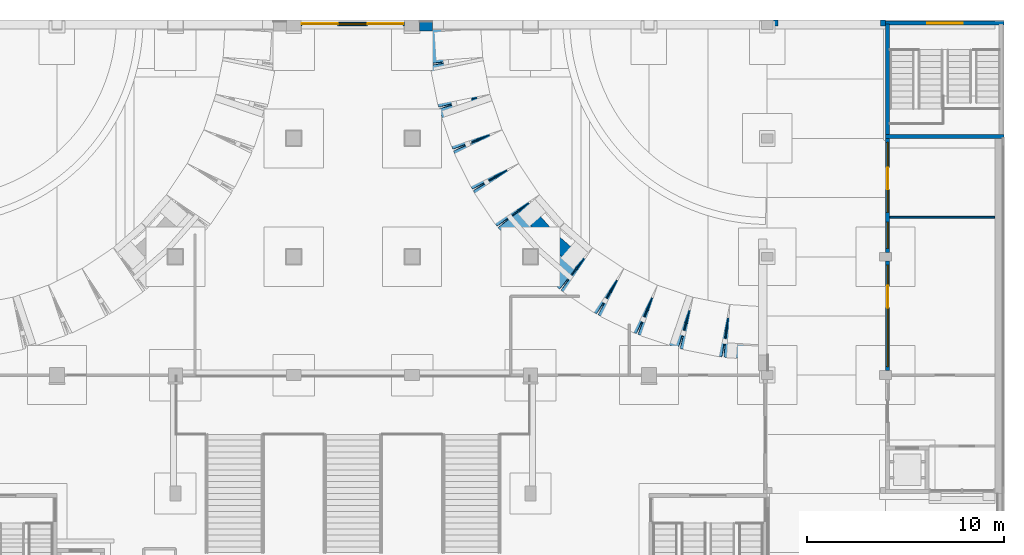
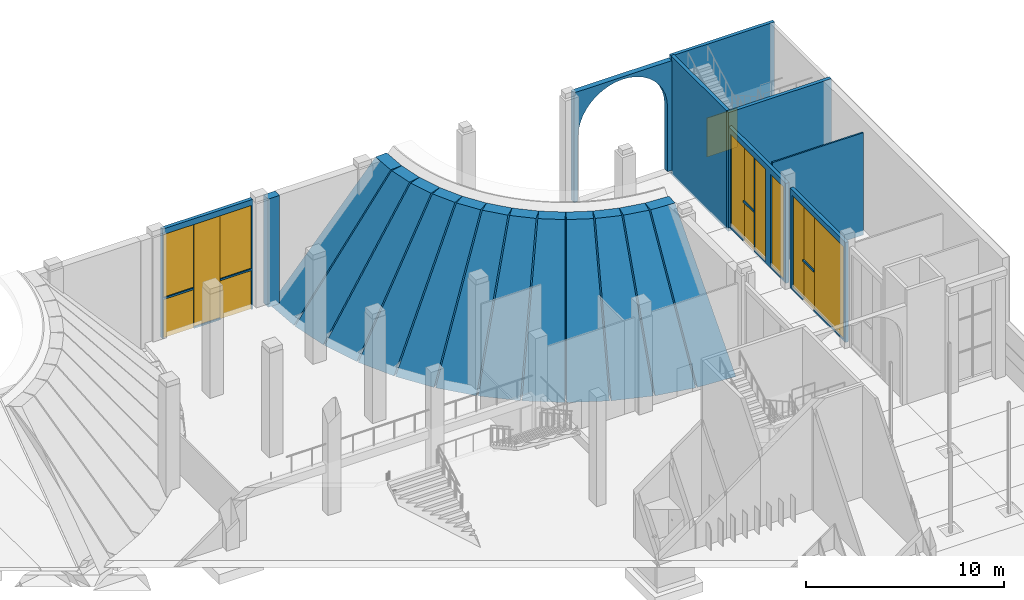
# One storey, part 52 of 95: 21 walls, 10 windows, 5 doors, 15 openings.
"""IFC4 building model written with IfcOpenShell, lengths in metres."""

from ifc_helpers import new_model, si_unit, direction, frame, frame_2d, origin, place, context, subcontext, project, spatial, polyline, rectangle, outline, extrude, material, layer, layer_set, type_object, element, fill, save


model = new_model("IFC4")

# Units and contexts
model_context = context("Model", 3, precision=1e-05, world=origin(), true_north=direction((0.0, 1.0)))
body_context = subcontext(model_context, "Body", "Model", "MODEL_VIEW")
ifc_project = project(units=[si_unit("LENGTHUNIT", "METRE"), si_unit("AREAUNIT", "SQUARE_METRE"), si_unit("VOLUMEUNIT", "CUBIC_METRE"), si_unit("PLANEANGLEUNIT", "RADIAN"), si_unit("MASSUNIT", "GRAM", prefix="KILO")], contexts=[model_context])

# Site, building, storey
site_placement = place(None, origin())
site = spatial("IfcSite", under=ifc_project, at=site_placement, CompositionType="ELEMENT")
building_placement = place(site_placement, origin())
building = spatial("IfcBuilding", under=site, at=building_placement, Name="Saffron Lane Theatres", CompositionType="ELEMENT")
storey_placement = place(building_placement, origin())
storey = spatial("IfcBuildingStorey", under=building, at=storey_placement, Name="L00", CompositionType="ELEMENT", Elevation=0.0)

# Wall
ifc_material_1 = material(Name="Masonry pale clay brick", Category="masonry")
ifc_layer_1 = layer(ifc_material_1, 0.300048828125)
ifc_layer_set_1 = layer_set([ifc_layer_1], Name="Masonry pale clay brick")
wall_type_1 = type_object("IfcWallType", Name="EX-ARCH SPANDREL BRICK 300", PredefinedType="SOLIDWALL", material=ifc_layer_set_1)
wall_1_placement = place(storey_placement, frame((54.300048828125, 126.0, 0.0), z_axis=(0.0, 1.0, 0.0), x_axis=(0.0, 0.0, 1.0)))
element("IfcWall", 1, at=wall_1_placement, inside=storey, type_object=wall_type_1, Name="Arcade arch spandrel 3", PredefinedType="SOLIDWALL", context=body_context, shape_type="SweptSolid", body=[
    extrude(outline(polyline([(0.0, 0.0), (6.75, 0.0), (6.75, 5.699951171875), (0.0, 5.699951171875), (0.0, 5.449951171875), (4.0, 5.449951171875), (4.406982421875, 5.41796875), (4.802978515625, 5.322998046875), (5.179931640625, 5.1669921875), (5.528076171875, 4.952880859375), (5.837890625, 4.68798828125), (6.10302734375, 4.3779296875), (6.31689453125, 4.030029296875), (6.472900390625, 3.65283203125), (6.568115234375, 3.2568359375), (6.60009765625, 2.849853515625), (6.568115234375, 2.44287109375), (6.472900390625, 2.046875), (6.31689453125, 1.669921875), (6.10302734375, 1.322021484375), (5.837890625, 1.011962890625), (5.528076171875, 0.7470703125), (5.179931640625, 0.532958984375), (4.802978515625, 0.376953125), (4.406982421875, 0.281982421875), (4.0, 0.25), (0.0, 0.25), (0.0, 0.0)])), origin(), (0.0, 0.0, -1.0), 0.300048828125),
])

# Wall, openings, doors, windows
ifc_material_2 = material(Name="Aluminium", Category="aluminium")
ifc_layer_2 = layer(ifc_material_2, 0.199951171875)
ifc_layer_set_2 = layer_set([ifc_layer_2], Name="Aluminium")
wall_type_2 = type_object("IfcWallType", Name="EX-SCREEN ALUMINIUM 200", PredefinedType="SOLIDWALL", material=ifc_layer_set_2)
wall_2_placement = place(storey_placement, frame((30.375, 125.800048828125, 0.0), z_axis=(0.0, 0.0, 1.0), x_axis=(1.0, 0.0, 0.0)))
wall_2 = element("IfcWall", 2, at=wall_2_placement, inside=storey, type_object=wall_type_2, Name="External wall L00 09", PredefinedType="SOLIDWALL", context=body_context, shape_type="SweptSolid", body=[
    extrude(rectangle(XDim=5.25, YDim=0.199951171875, at=frame_2d((2.625, 0.0))), origin(), (0.0, 0.0, 1.0), 6.75),
])
opening_1_placement = place(wall_2_placement, frame((0.04296875, 0.0, 0.0)))
opening_1 = element("IfcOpeningElement", 3, at=opening_1_placement, cuts=wall_2, Name="Opening ED00-04", PredefinedType="OPENING", context=body_context, shape_type="SweptSolid", body=[
    extrude(rectangle(XDim=1.800048828125, YDim=2.39990234375, at=frame_2d((0.89990234375, 1.199951171875))), frame((0.0, 0.10986328125, 0.0), z_axis=(0.0, -1.0, 0.0), x_axis=(1.0, 0.0, 0.0)), (0.0, 0.0, 1.0), 0.219970703125),
])
opening_2_placement = place(wall_2_placement, frame((3.375, 0.0, 0.0)))
opening_2 = element("IfcOpeningElement", 4, at=opening_2_placement, cuts=wall_2, Name="Opening ED00-05", PredefinedType="OPENING", context=body_context, shape_type="SweptSolid", body=[
    extrude(rectangle(XDim=1.800048828125, YDim=2.39990234375, at=frame_2d((0.89990234375, 1.199951171875))), frame((0.0, 0.10986328125, 0.0), z_axis=(0.0, -1.0, 0.0), x_axis=(1.0, 0.0, 0.0)), (0.0, 0.0, 1.0), 0.219970703125),
])
opening_3_placement = place(wall_2_placement, frame((0.04296875, 0.0, 2.5)))
opening_3 = element("IfcOpeningElement", 5, at=opening_3_placement, cuts=wall_2, Name="Opening WN00-012", PredefinedType="OPENING", context=body_context, shape_type="SweptSolid", body=[
    extrude(rectangle(XDim=1.800048828125, YDim=3.89990234375, at=frame_2d((0.89990234375, 1.949951171875))), frame((0.0, 0.10986328125, 0.0), z_axis=(0.0, -1.0, 0.0), x_axis=(1.0, 0.0, 0.0)), (0.0, 0.0, 1.0), 0.219970703125),
])
opening_4_placement = place(wall_2_placement, frame((3.375, 0.0, 2.5)))
opening_4 = element("IfcOpeningElement", 6, at=opening_4_placement, cuts=wall_2, Name="Opening WN00-013", PredefinedType="OPENING", context=body_context, shape_type="SweptSolid", body=[
    extrude(rectangle(XDim=1.800048828125, YDim=3.89990234375, at=frame_2d((0.89990234375, 1.949951171875))), frame((0.0, 0.10986328125, 0.0), z_axis=(0.0, -1.0, 0.0), x_axis=(1.0, 0.0, 0.0)), (0.0, 0.0, 1.0), 0.219970703125),
])
opening_5_placement = place(wall_2_placement, frame((1.843017578125, 0.0, 0.10009765625)))
opening_5 = element("IfcOpeningElement", 7, at=opening_5_placement, cuts=wall_2, Name="Opening WN00-014", PredefinedType="OPENING", context=body_context, shape_type="SweptSolid", body=[
    extrude(rectangle(XDim=1.531982421875, YDim=6.300048828125, at=frame_2d((0.76611328125, 3.14990234375))), frame((0.0, 0.10986328125, 0.0), z_axis=(0.0, -1.0, 0.0), x_axis=(1.0, 0.0, 0.0)), (0.0, 0.0, 1.0), 0.219970703125),
])
ifc_material_3 = material(Name="Aluminium and glass door leaves", Category="aluminium")
door_type_1 = type_object("IfcDoorType", Name="EX-ENTRANCE DOOR PAIR 1800x2400", OperationType="DOUBLE_DOOR_SINGLE_SWING", PredefinedType="DOOR", material=ifc_material_3)
door_1_placement = place(opening_1_placement, origin())
door_1 = element("IfcDoor", 8, at=door_1_placement, inside=storey, type_object=door_type_1, Name="Entrance Lobby door", OperationType="DOUBLE_DOOR_SINGLE_SWING", OverallHeight=2.39990234375, OverallWidth=1.800048828125, PredefinedType="DOOR", context=body_context, shape_type="SweptSolid", body=[
    extrude(rectangle(XDim=1.800048828125, YDim=2.39990234375, at=frame_2d((0.89990234375, 1.199951171875))), frame((0.0, 0.02490234375, 0.0), z_axis=(0.0, -1.0, 0.0), x_axis=(1.0, 0.0, 0.0)), (0.0, 0.0, 1.0), 0.050048828125),
])
fill(opening_1, door_1)
door_2_placement = place(opening_2_placement, origin())
door_2 = element("IfcDoor", 9, at=door_2_placement, inside=storey, type_object=door_type_1, Name="Entrance Lobby door", OperationType="DOUBLE_DOOR_SINGLE_SWING", OverallHeight=2.39990234375, OverallWidth=1.800048828125, PredefinedType="DOOR", context=body_context, shape_type="SweptSolid", body=[
    extrude(rectangle(XDim=1.800048828125, YDim=2.39990234375, at=frame_2d((0.89990234375, 1.199951171875))), frame((0.0, 0.02490234375, 0.0), z_axis=(0.0, -1.0, 0.0), x_axis=(1.0, 0.0, 0.0)), (0.0, 0.0, 1.0), 0.050048828125),
])
fill(opening_2, door_2)
ifc_material_4 = material(Name="Aluminium", Category="aluminium")
window_type_1 = type_object("IfcWindowType", Name="EX-WINDOW 1532x6300", PartitioningType="SINGLE_PANEL", PredefinedType="WINDOW", material=ifc_material_4)
window_1_placement = place(opening_5_placement, origin())
window_1 = element("IfcWindow", 10, at=window_1_placement, inside=storey, type_object=window_type_1, Name="Window L00 014", OverallHeight=6.300048828125, OverallWidth=1.531982421875, PartitioningType="SINGLE_PANEL", PredefinedType="WINDOW", context=body_context, shape_type="SweptSolid", body=[
    extrude(rectangle(XDim=1.531982421875, YDim=6.300048828125, at=frame_2d((0.76611328125, 3.14990234375))), frame((0.0, 0.030029296875, 0.0), z_axis=(0.0, -1.0, 0.0), x_axis=(1.0, 0.0, 0.0)), (0.0, 0.0, 1.0), 0.06005859375),
])
fill(opening_5, window_1)
ifc_material_5 = material(Name="Aluminium", Category="aluminium")
window_type_2 = type_object("IfcWindowType", Name="EX-WINDOW 1800x3900", PartitioningType="SINGLE_PANEL", PredefinedType="WINDOW", material=ifc_material_5)
window_2_placement = place(opening_3_placement, origin())
window_2 = element("IfcWindow", 11, at=window_2_placement, inside=storey, type_object=window_type_2, Name="Window L00 012", OverallHeight=3.89990234375, OverallWidth=1.800048828125, PartitioningType="SINGLE_PANEL", PredefinedType="WINDOW", context=body_context, shape_type="SweptSolid", body=[
    extrude(rectangle(XDim=1.800048828125, YDim=3.89990234375, at=frame_2d((0.89990234375, 1.949951171875))), frame((0.0, 0.030029296875, 0.0), z_axis=(0.0, -1.0, 0.0), x_axis=(1.0, 0.0, 0.0)), (0.0, 0.0, 1.0), 0.06005859375),
])
fill(opening_3, window_2)
window_3_placement = place(opening_4_placement, origin())
window_3 = element("IfcWindow", 12, at=window_3_placement, inside=storey, type_object=window_type_2, Name="Window L00 013", OverallHeight=3.89990234375, OverallWidth=1.800048828125, PartitioningType="SINGLE_PANEL", PredefinedType="WINDOW", context=body_context, shape_type="SweptSolid", body=[
    extrude(rectangle(XDim=1.800048828125, YDim=3.89990234375, at=frame_2d((0.89990234375, 1.949951171875))), frame((0.0, 0.030029296875, 0.0), z_axis=(0.0, -1.0, 0.0), x_axis=(1.0, 0.0, 0.0)), (0.0, 0.0, 1.0), 0.06005859375),
])
fill(opening_4, window_3)

# Wall, openings, door, windows
wall_3_placement = place(storey_placement, frame((60.10009765625, 108.22509765625, 0.0), z_axis=(0.0, 0.0, 1.0), x_axis=(0.0, 1.0, 0.0)))
wall_3 = element("IfcWall", 13, at=wall_3_placement, inside=storey, type_object=wall_type_2, Name="External wall L00 28", PredefinedType="SOLIDWALL", context=body_context, shape_type="SweptSolid", body=[
    extrude(rectangle(XDim=5.5498046875, YDim=0.199951171875, at=frame_2d((2.77490234375, 0.0))), origin(), (0.0, 0.0, 1.0), 6.14990234375),
])
opening_6_placement = place(wall_3_placement, frame((3.195068359375, 0.0, 0.0)))
opening_6 = element("IfcOpeningElement", 14, at=opening_6_placement, cuts=wall_3, Name="Opening ED00-13", PredefinedType="OPENING", context=body_context, shape_type="SweptSolid", body=[
    extrude(rectangle(XDim=1.10009765625, YDim=2.39990234375, at=frame_2d((0.550048828125, 1.199951171875))), frame((0.0, 0.10986328125, 0.0), z_axis=(0.0, -1.0, 0.0), x_axis=(1.0, 0.0, 0.0)), (0.0, 0.0, 1.0), 0.219970703125),
])
opening_7_placement = place(wall_3_placement, frame((3.195068359375, 0.0, 2.5)))
opening_7 = element("IfcOpeningElement", 15, at=opening_7_placement, cuts=wall_3, Name="Opening WN00-031", PredefinedType="OPENING", context=body_context, shape_type="SweptSolid", body=[
    extrude(rectangle(XDim=1.10009765625, YDim=3.300048828125, at=frame_2d((0.550048828125, 1.64990234375))), frame((0.0, 0.10986328125, 0.0), z_axis=(0.0, -1.0, 0.0), x_axis=(1.0, 0.0, 0.0)), (0.0, 0.0, 1.0), 0.219970703125),
])
opening_8_placement = place(wall_3_placement, frame((0.199951171875, 0.0, 0.10009765625)))
opening_8 = element("IfcOpeningElement", 16, at=opening_8_placement, cuts=wall_3, Name="Opening WN00-032", PredefinedType="OPENING", context=body_context, shape_type="SweptSolid", body=[
    extrude(rectangle(XDim=2.9951171875, YDim=5.699951171875, at=frame_2d((1.49755859375, 2.85009765625))), frame((0.0, 0.10986328125, 0.0), z_axis=(0.0, -1.0, 0.0), x_axis=(1.0, 0.0, 0.0)), (0.0, 0.0, 1.0), 0.219970703125),
])
opening_9_placement = place(wall_3_placement, frame((4.294921875, 0.0, 0.10009765625)))
opening_9 = element("IfcOpeningElement", 17, at=opening_9_placement, cuts=wall_3, Name="Opening WN00-033", PredefinedType="OPENING", context=body_context, shape_type="SweptSolid", body=[
    extrude(rectangle(XDim=1.054931640625, YDim=5.699951171875, at=frame_2d((0.52734375, 2.85009765625))), frame((0.0, 0.10986328125, 0.0), z_axis=(0.0, -1.0, 0.0), x_axis=(1.0, 0.0, 0.0)), (0.0, 0.0, 1.0), 0.219970703125),
])
ifc_material_6 = material(Name="Aluminium and glass door leaf", Category="aluminium")
door_type_2 = type_object("IfcDoorType", Name="EX-DOOR 1100x2400", OperationType="NOTDEFINED", PredefinedType="DOOR", material=ifc_material_6)
door_3_placement = place(opening_6_placement, origin())
door_3 = element("IfcDoor", 18, at=door_3_placement, inside=storey, type_object=door_type_2, Name="Shop door", OperationType="SINGLE_SWING_RIGHT", OverallHeight=2.39990234375, OverallWidth=1.10009765625, PredefinedType="DOOR", context=body_context, shape_type="SweptSolid", body=[
    extrude(rectangle(XDim=1.10009765625, YDim=2.39990234375, at=frame_2d((0.550048828125, 1.199951171875))), frame((0.0, 0.02490234375, 0.0), z_axis=(0.0, -1.0, 0.0), x_axis=(1.0, 0.0, 0.0)), (0.0, 0.0, 1.0), 0.050048828125),
])
fill(opening_6, door_3)
ifc_material_7 = material(Name="Aluminium", Category="aluminium")
window_type_3 = type_object("IfcWindowType", Name="EX-WINDOW 1055x5700", PartitioningType="SINGLE_PANEL", PredefinedType="WINDOW", material=ifc_material_7)
window_4_placement = place(opening_9_placement, origin())
window_4 = element("IfcWindow", 19, at=window_4_placement, inside=storey, type_object=window_type_3, Name="Window L00 033", OverallHeight=5.699951171875, OverallWidth=1.054931640625, PartitioningType="SINGLE_PANEL", PredefinedType="WINDOW", context=body_context, shape_type="SweptSolid", body=[
    extrude(rectangle(XDim=1.054931640625, YDim=5.699951171875, at=frame_2d((0.52734375, 2.85009765625))), frame((0.0, 0.030029296875, 0.0), z_axis=(0.0, -1.0, 0.0), x_axis=(1.0, 0.0, 0.0)), (0.0, 0.0, 1.0), 0.06005859375),
])
fill(opening_9, window_4)
ifc_material_8 = material(Name="Aluminium", Category="aluminium")
window_type_4 = type_object("IfcWindowType", Name="EX-WINDOW 1100x3300", PartitioningType="SINGLE_PANEL", PredefinedType="WINDOW", material=ifc_material_8)
window_5_placement = place(opening_7_placement, origin())
window_5 = element("IfcWindow", 20, at=window_5_placement, inside=storey, type_object=window_type_4, Name="Window L00 031", OverallHeight=3.300048828125, OverallWidth=1.10009765625, PartitioningType="SINGLE_PANEL", PredefinedType="WINDOW", context=body_context, shape_type="SweptSolid", body=[
    extrude(rectangle(XDim=1.10009765625, YDim=3.300048828125, at=frame_2d((0.550048828125, 1.64990234375))), frame((0.0, 0.030029296875, 0.0), z_axis=(0.0, -1.0, 0.0), x_axis=(1.0, 0.0, 0.0)), (0.0, 0.0, 1.0), 0.06005859375),
])
fill(opening_7, window_5)
ifc_material_9 = material(Name="Aluminium", Category="aluminium")
window_type_5 = type_object("IfcWindowType", Name="EX-WINDOW 2995x5700", PartitioningType="SINGLE_PANEL", PredefinedType="WINDOW", material=ifc_material_9)
window_6_placement = place(opening_8_placement, origin())
window_6 = element("IfcWindow", 21, at=window_6_placement, inside=storey, type_object=window_type_5, Name="Window L00 032", OverallHeight=5.699951171875, OverallWidth=2.9951171875, PartitioningType="SINGLE_PANEL", PredefinedType="WINDOW", context=body_context, shape_type="SweptSolid", body=[
    extrude(rectangle(XDim=2.9951171875, YDim=5.699951171875, at=frame_2d((1.49755859375, 2.85009765625))), frame((0.0, 0.030029296875, 0.0), z_axis=(0.0, -1.0, 0.0), x_axis=(1.0, 0.0, 0.0)), (0.0, 0.0, 1.0), 0.06005859375),
])
fill(opening_8, window_6)

wall_4_placement = place(storey_placement, frame((60.10009765625, 114.22509765625, 0.0), z_axis=(0.0, 0.0, 1.0), x_axis=(0.0, 1.0, 0.0)))
wall_4 = element("IfcWall", 22, at=wall_4_placement, inside=storey, type_object=wall_type_2, Name="External wall L00 29", PredefinedType="SOLIDWALL", context=body_context, shape_type="SweptSolid", body=[
    extrude(rectangle(XDim=5.77490234375, YDim=0.199951171875, at=frame_2d((2.887451171875, 0.0))), origin(), (0.0, 0.0, 1.0), 6.14990234375),
])
opening_10_placement = place(wall_4_placement, frame((3.195068359375, 0.0, 0.0)))
opening_10 = element("IfcOpeningElement", 23, at=opening_10_placement, cuts=wall_4, Name="Opening ED00-14", PredefinedType="OPENING", context=body_context, shape_type="SweptSolid", body=[
    extrude(rectangle(XDim=1.10009765625, YDim=2.39990234375, at=frame_2d((0.550048828125, 1.199951171875))), frame((0.0, 0.10986328125, 0.0), z_axis=(0.0, -1.0, 0.0), x_axis=(1.0, 0.0, 0.0)), (0.0, 0.0, 1.0), 0.219970703125),
])
opening_11_placement = place(wall_4_placement, frame((3.195068359375, 0.0, 2.5)))
opening_11 = element("IfcOpeningElement", 24, at=opening_11_placement, cuts=wall_4, Name="Opening WN00-034", PredefinedType="OPENING", context=body_context, shape_type="SweptSolid", body=[
    extrude(rectangle(XDim=1.10009765625, YDim=3.300048828125, at=frame_2d((0.550048828125, 1.64990234375))), frame((0.0, 0.10986328125, 0.0), z_axis=(0.0, -1.0, 0.0), x_axis=(1.0, 0.0, 0.0)), (0.0, 0.0, 1.0), 0.219970703125),
])
opening_12_placement = place(wall_4_placement, frame((0.199951171875, 0.0, 0.10009765625)))
opening_12 = element("IfcOpeningElement", 25, at=opening_12_placement, cuts=wall_4, Name="Opening WN00-035", PredefinedType="OPENING", context=body_context, shape_type="SweptSolid", body=[
    extrude(rectangle(XDim=1.324951171875, YDim=5.699951171875, at=frame_2d((0.66259765625, 2.85009765625))), frame((0.0, 0.10986328125, 0.0), z_axis=(0.0, -1.0, 0.0), x_axis=(1.0, 0.0, 0.0)), (0.0, 0.0, 1.0), 0.219970703125),
])
opening_13_placement = place(wall_4_placement, frame((2.02490234375, 0.0, 0.10009765625)))
opening_13 = element("IfcOpeningElement", 26, at=opening_13_placement, cuts=wall_4, Name="Opening WN00-036", PredefinedType="OPENING", context=body_context, shape_type="SweptSolid", body=[
    extrude(rectangle(XDim=1.169921875, YDim=5.699951171875, at=frame_2d((0.5849609375, 2.85009765625))), frame((0.0, 0.10986328125, 0.0), z_axis=(0.0, -1.0, 0.0), x_axis=(1.0, 0.0, 0.0)), (0.0, 0.0, 1.0), 0.219970703125),
])
opening_14_placement = place(wall_4_placement, frame((4.294921875, 0.0, 0.10009765625)))
opening_14 = element("IfcOpeningElement", 27, at=opening_14_placement, cuts=wall_4, Name="Opening WN00-037", PredefinedType="OPENING", context=body_context, shape_type="SweptSolid", body=[
    extrude(rectangle(XDim=1.280029296875, YDim=5.699951171875, at=frame_2d((0.64013671875, 2.85009765625))), frame((0.0, 0.10986328125, 0.0), z_axis=(0.0, -1.0, 0.0), x_axis=(1.0, 0.0, 0.0)), (0.0, 0.0, 1.0), 0.219970703125),
])
door_4_placement = place(opening_10_placement, origin())
door_4 = element("IfcDoor", 28, at=door_4_placement, inside=storey, type_object=door_type_2, Name="Box Office Annex door", OperationType="SINGLE_SWING_LEFT", OverallHeight=2.39990234375, OverallWidth=1.10009765625, PredefinedType="DOOR", context=body_context, shape_type="SweptSolid", body=[
    extrude(rectangle(XDim=1.10009765625, YDim=2.39990234375, at=frame_2d((0.550048828125, 1.199951171875))), frame((0.0, 0.02490234375, 0.0), z_axis=(0.0, -1.0, 0.0), x_axis=(1.0, 0.0, 0.0)), (0.0, 0.0, 1.0), 0.050048828125),
])
fill(opening_10, door_4)
window_7_placement = place(opening_11_placement, origin())
window_7 = element("IfcWindow", 29, at=window_7_placement, inside=storey, type_object=window_type_4, Name="Window L00 034", OverallHeight=3.300048828125, OverallWidth=1.10009765625, PartitioningType="SINGLE_PANEL", PredefinedType="WINDOW", context=body_context, shape_type="SweptSolid", body=[
    extrude(rectangle(XDim=1.10009765625, YDim=3.300048828125, at=frame_2d((0.550048828125, 1.64990234375))), frame((0.0, 0.030029296875, 0.0), z_axis=(0.0, -1.0, 0.0), x_axis=(1.0, 0.0, 0.0)), (0.0, 0.0, 1.0), 0.06005859375),
])
fill(opening_11, window_7)
ifc_material_10 = material(Name="Aluminium", Category="aluminium")
window_type_6 = type_object("IfcWindowType", Name="EX-WINDOW 1170x5700", PartitioningType="SINGLE_PANEL", PredefinedType="WINDOW", material=ifc_material_10)
window_8_placement = place(opening_13_placement, origin())
window_8 = element("IfcWindow", 30, at=window_8_placement, inside=storey, type_object=window_type_6, Name="Window L00 036", OverallHeight=5.699951171875, OverallWidth=1.169921875, PartitioningType="SINGLE_PANEL", PredefinedType="WINDOW", context=body_context, shape_type="SweptSolid", body=[
    extrude(rectangle(XDim=1.169921875, YDim=5.699951171875, at=frame_2d((0.5849609375, 2.85009765625))), frame((0.0, 0.030029296875, 0.0), z_axis=(0.0, -1.0, 0.0), x_axis=(1.0, 0.0, 0.0)), (0.0, 0.0, 1.0), 0.06005859375),
])
fill(opening_13, window_8)
ifc_material_11 = material(Name="Aluminium", Category="aluminium")
window_type_7 = type_object("IfcWindowType", Name="EX-WINDOW 1280x5700", PartitioningType="SINGLE_PANEL", PredefinedType="WINDOW", material=ifc_material_11)
window_9_placement = place(opening_14_placement, origin())
window_9 = element("IfcWindow", 31, at=window_9_placement, inside=storey, type_object=window_type_7, Name="Window L00 037", OverallHeight=5.699951171875, OverallWidth=1.280029296875, PartitioningType="SINGLE_PANEL", PredefinedType="WINDOW", context=body_context, shape_type="SweptSolid", body=[
    extrude(rectangle(XDim=1.280029296875, YDim=5.699951171875, at=frame_2d((0.64013671875, 2.85009765625))), frame((0.0, 0.030029296875, 0.0), z_axis=(0.0, -1.0, 0.0), x_axis=(1.0, 0.0, 0.0)), (0.0, 0.0, 1.0), 0.06005859375),
])
fill(opening_14, window_9)
ifc_material_12 = material(Name="Aluminium", Category="aluminium")
window_type_8 = type_object("IfcWindowType", Name="EX-WINDOW 1325x5700", PartitioningType="SINGLE_PANEL", PredefinedType="WINDOW", material=ifc_material_12)
window_10_placement = place(opening_12_placement, origin())
window_10 = element("IfcWindow", 32, at=window_10_placement, inside=storey, type_object=window_type_8, Name="Window L00 035", OverallHeight=5.699951171875, OverallWidth=1.324951171875, PartitioningType="SINGLE_PANEL", PredefinedType="WINDOW", context=body_context, shape_type="SweptSolid", body=[
    extrude(rectangle(XDim=1.324951171875, YDim=5.699951171875, at=frame_2d((0.66259765625, 2.85009765625))), frame((0.0, 0.030029296875, 0.0), z_axis=(0.0, -1.0, 0.0), x_axis=(1.0, 0.0, 0.0)), (0.0, 0.0, 1.0), 0.06005859375),
])
fill(opening_12, window_10)

# Walls
ifc_material_13 = material(Name="Masonry pale clay brick", Category="masonry")
ifc_layer_3 = layer(ifc_material_13, 0.449951171875)
ifc_layer_set_3 = layer_set([ifc_layer_3], Name="Masonry pale clay brick")
wall_type_3 = type_object("IfcWallType", Name="EX-WALL BRICK 450", PredefinedType="SOLIDWALL", material=ifc_layer_set_3)
wall_5_placement = place(storey_placement, frame((36.375, 125.675048828125, 0.0), z_axis=(0.0, 0.0, 1.0), x_axis=(1.0, 0.0, 0.0)))
element("IfcWall", 33, at=wall_5_placement, inside=storey, type_object=wall_type_3, Name="External wall L00 10", PredefinedType="SOLIDWALL", context=body_context, shape_type="SweptSolid", body=[
    extrude(rectangle(XDim=0.65673828125, YDim=0.449951171875, at=frame_2d((0.328369140625, 0.0))), origin(), (0.0, 0.0, 1.0), 6.64990234375),
])
ifc_material_14 = material(Name="Plasterboard on 90 mm steel studs", Category="steel")
ifc_layer_4 = layer(ifc_material_14, 0.090087890625)
ifc_layer_set_4 = layer_set([ifc_layer_4], Name="Plasterboard on 90 mm steel studs")
wall_type_4 = type_object("IfcWallType", Name="IN-STUD PARTITION 090", PredefinedType="PARTITIONING", material=ifc_layer_set_4)
wall_6_placement = place(storey_placement, frame((60.22021484375, 116.0, 0.0), z_axis=(0.0, 0.0, 1.0), x_axis=(1.0, 0.0, 0.0)))
element("IfcWall", 34, at=wall_6_placement, inside=storey, type_object=wall_type_4, Name="PW-L00-124", PredefinedType="PARTITIONING", context=body_context, shape_type="SweptSolid", body=[
    extrude(rectangle(XDim=5.2998046875, YDim=0.090087890625, at=frame_2d((2.64990234375, 0.0))), origin(), (0.0, 0.0, 1.0), 6.300048828125),
])
ifc_material_15 = material(Name="Concrete N50 (50 MPa)", Category="concrete")
ifc_layer_5 = layer(ifc_material_15, 0.199951171875)
ifc_layer_set_5 = layer_set([ifc_layer_5], Name="Concrete N50 (50 MPa)")
wall_type_5 = type_object("IfcWallType", Name="RC-CORE 200", PredefinedType="SHEAR", material=ifc_layer_set_5)
wall_7_placement = place(storey_placement, frame((60.0, 120.10009765625, -0.300048828125), z_axis=(0.0, 0.0, 1.0), x_axis=(1.0, 0.0, 0.0)))
element("IfcWall", 35, at=wall_7_placement, inside=storey, type_object=wall_type_5, Name="W-ST15-S-L00", PredefinedType="SHEAR", context=body_context, shape_type="SweptSolid", body=[
    extrude(rectangle(XDim=6.0, YDim=0.199951171875, at=frame_2d((3.0, 0.0))), origin(), (0.0, 0.0, 1.0), 7.300048828125),
])

# Wall, opening, door
ifc_material_16 = material(Name="Concrete N50 (50 MPa)", Category="concrete")
ifc_layer_6 = layer(ifc_material_16, 0.199951171875)
ifc_layer_set_6 = layer_set([ifc_layer_6], Name="Concrete N50 (50 MPa)")
wall_type_6 = type_object("IfcWallType", Name="RC-CORE EXTERNAL 200", PredefinedType="SHEAR", material=ifc_layer_set_6)
wall_8_placement = place(storey_placement, frame((60.0, 125.840087890625, -0.300048828125), z_axis=(0.0, 0.0, 1.0), x_axis=(1.0, 0.0, 0.0)))
wall_8 = element("IfcWall", 36, at=wall_8_placement, inside=storey, type_object=wall_type_6, Name="W-ST15-N-L00", PredefinedType="SHEAR", context=body_context, shape_type="SweptSolid", body=[
    extrude(rectangle(XDim=6.0, YDim=0.199951171875, at=frame_2d((3.0, 0.0))), origin(), (0.0, 0.0, 1.0), 7.300048828125),
])
opening_15_placement = place(wall_8_placement, frame((2.10009765625, 0.0, 0.300048828125)))
opening_15 = element("IfcOpeningElement", 37, at=opening_15_placement, cuts=wall_8, Name="Opening EDST15", PredefinedType="OPENING", context=body_context, shape_type="SweptSolid", body=[
    extrude(rectangle(XDim=1.800048828125, YDim=2.39990234375, at=frame_2d((0.89990234375, 1.199951171875))), frame((0.0, 0.10986328125, 0.0), z_axis=(0.0, -1.0, 0.0), x_axis=(1.0, 0.0, 0.0)), (0.0, 0.0, 1.0), 0.219970703125),
])
ifc_material_17 = material(Name="Steel faced fire door leaf", Category="steel")
door_type_3 = type_object("IfcDoorType", Name="EX-EXIT DOOR PAIR 1800x2400", OperationType="DOUBLE_DOOR_SINGLE_SWING", PredefinedType="DOOR", material=ifc_material_17)
door_5_placement = place(opening_15_placement, origin())
door_5 = element("IfcDoor", 38, at=door_5_placement, inside=storey, type_object=door_type_3, Name="Exit door ST15", OperationType="DOUBLE_DOOR_SINGLE_SWING", OverallHeight=2.39990234375, OverallWidth=1.800048828125, PredefinedType="DOOR", context=body_context, shape_type="SweptSolid", body=[
    extrude(rectangle(XDim=1.800048828125, YDim=2.39990234375, at=frame_2d((0.89990234375, 1.199951171875))), frame((0.0, 0.02490234375, 0.0), z_axis=(0.0, -1.0, 0.0), x_axis=(1.0, 0.0, 0.0)), (0.0, 0.0, 1.0), 0.050048828125),
])
fill(opening_15, door_5)

# Walls
wall_9_placement = place(storey_placement, frame((60.10009765625, 120.199951171875, -0.300048828125), z_axis=(0.0, 0.0, 1.0), x_axis=(0.0, 1.0, 0.0)))
element("IfcWall", 39, at=wall_9_placement, inside=storey, type_object=wall_type_6, Name="W-ST15-W-L00", PredefinedType="SHEAR", context=body_context, shape_type="SweptSolid", body=[
    extrude(rectangle(XDim=5.60009765625, YDim=0.199951171875, at=frame_2d((2.800048828125, 0.0))), origin(), (0.0, 0.0, 1.0), 7.300048828125),
])
ifc_material_18 = material(Name="Concrete N50 (50 MPa)", Category="concrete")
ifc_layer_7 = layer(ifc_material_18, 0.5)
ifc_layer_set_7 = layer_set([ifc_layer_7], Name="Concrete N50 (50 MPa)")
wall_type_7 = type_object("IfcWallType", Name="RC-SCOOP 500", PredefinedType="SOLIDWALL", material=ifc_layer_set_7)
wall_10_placement = place(storey_placement, frame((37.576416015625, 123.83740234375, -0.300048828125), z_axis=(-0.748191222673, -0.04900815869, 0.661670684477), x_axis=(-0.065357824287, 0.997861891637, 4.871716e-06)))
element("IfcWall", 40, at=wall_10_placement, inside=storey, type_object=wall_type_7, Name="W-SCOOP-NE-L00-1-F1", PredefinedType="SOLIDWALL", context=body_context, shape_type="SweptSolid", body=[
    extrude(outline(polyline([(0.0, 0.0), (2.166741320903543, 1.3877787807814457e-17), (1.7650702898316677, -9.269128906895183), (0.4020468024848153, -9.269151841194546), (0.0, 0.0)])), origin(), (-4.5268111e-05, 0.661670683642, 0.749794574774), 0.666748046875),
])
wall_11_placement = place(storey_placement, frame((37.9990234375, 121.712158203125, -0.300048828125), z_axis=(-0.73538668284, -0.146257877538, 0.661675947847), x_axis=(-0.195050913102, 0.980793118363, 1.6436784e-05)))
element("IfcWall", 41, at=wall_11_placement, inside=storey, type_object=wall_type_7, Name="W-SCOOP-NE-L00-1-F2", PredefinedType="SOLIDWALL", context=body_context, shape_type="SweptSolid", body=[
    extrude(outline(polyline([(0.0, 0.0), (2.1668547914863536, 5.551115123125783e-17), (1.7649755211604572, -9.269159106194476), (0.40236029306322146, -9.269236478715646), (0.0, 0.0)])), origin(), (-3.9919669e-05, 0.661675946918, 0.749789930365), 0.666748046875),
])
wall_12_placement = place(storey_placement, frame((38.69580078125, 119.66015625, -0.300048828125), z_axis=(-0.710000727249, -0.241022741766, 0.661669861228), x_axis=(-0.321485395559, 0.946914536157, -4.0695407e-05)))
element("IfcWall", 42, at=wall_12_placement, inside=storey, type_object=wall_type_7, Name="W-SCOOP-NE-L00-1-F3", PredefinedType="SOLIDWALL", context=body_context, shape_type="SweptSolid", body=[
    extrude(outline(polyline([(0.0, 0.0), (2.1670742176094273, 1.1102230246251565e-16), (1.7644997039962766, -9.269227176518473), (0.4014425867362805, -9.269035577381613), (0.0, 0.0)])), origin(), (4.8904042e-05, 0.661669859492, 0.749795301831), 0.666748046875),
])
wall_13_placement = place(storey_placement, frame((39.654052734375, 117.716796875, -0.300048828125), z_axis=(-0.67247802402, -0.331623051487, 0.661664158719), x_axis=(-0.442267460576, 0.896883210339, 1.8134674e-05)))
element("IfcWall", 43, at=wall_13_placement, inside=storey, type_object=wall_type_7, Name="W-SCOOP-NE-L00-1-F4", PredefinedType="SOLIDWALL", context=body_context, shape_type="SweptSolid", body=[
    extrude(outline(polyline([(0.0, 0.0), (2.1667700529916774, -1.1102230246251565e-16), (1.765117828897293, -9.269026496365708), (0.40238450098815554, -9.269111860950538), (0.0, 0.0)])), origin(), (-2.383404e-05, 0.661664158315, 0.749800334111), 0.666748046875),
])
wall_14_placement = place(storey_placement, frame((40.85791015625, 115.915283203125, -0.300048828125), z_axis=(-0.623441381436, -0.416561116022, 0.661662814832), x_axis=(-0.555582904203, 0.831461145053, -2.8701608e-05)))
element("IfcWall", 44, at=wall_14_placement, inside=storey, type_object=wall_type_7, Name="W-SCOOP-NE-L00-1-F5", PredefinedType="SOLIDWALL", context=body_context, shape_type="SweptSolid", body=[
    extrude(outline(polyline([(0.0, 0.0), (2.166731223138264, 0.0), (1.7645821430169897, -9.2691220776026), (0.40166582922998406, -9.26898696643374), (0.0, 0.0)])), origin(), (1.5648997e-05, 0.661662814687, 0.749801520014), 0.666748046875),
])
wall_15_placement = place(storey_placement, frame((42.28662109375, 114.2861328125, -0.300048828125), z_axis=(-0.563727278577, -0.494389341921, 0.6616575655), x_axis=(-0.659349875833, 0.751836246232, 9.545532e-06)))
element("IfcWall", 45, at=wall_15_placement, inside=storey, type_object=wall_type_7, Name="W-SCOOP-NE-L00-1-F6", PredefinedType="SOLIDWALL", context=body_context, shape_type="SweptSolid", body=[
    extrude(outline(polyline([(0.0, 0.0), (2.1668746934764083, 0.0), (1.7649280347937149, -9.268974793024302), (0.40200722952612594, -9.269019729672873), (0.0, 0.0)])), origin(), (5.389036e-06, 0.661657565559, 0.749806152222), 0.666748046875),
])
wall_16_placement = place(storey_placement, frame((43.915771484375, 112.857421875, -0.300048828125), z_axis=(-0.494389341921, -0.563727278577, 0.6616575655), x_axis=(-0.751836246232, 0.659349875833, -9.545532e-06)))
element("IfcWall", 46, at=wall_16_placement, inside=storey, type_object=wall_type_7, Name="W-SCOOP-NE-L00-1-F7", PredefinedType="SOLIDWALL", context=body_context, shape_type="SweptSolid", body=[
    extrude(outline(polyline([(0.0, 0.0), (2.1668746934764083, 0.0), (1.7648674639502824, -9.269019729672873), (0.40194665868269336, -9.268974793024302), (0.0, 0.0)])), origin(), (-5.389036e-06, 0.661657565559, 0.749806152222), 0.666748046875),
])
wall_17_placement = place(storey_placement, frame((45.71728515625, 111.653564453125, -0.300048828125), z_axis=(-0.416561116022, -0.623441381436, 0.661662814832), x_axis=(-0.831461145053, 0.555582904203, 2.8701608e-05)))
element("IfcWall", 47, at=wall_17_placement, inside=storey, type_object=wall_type_7, Name="W-SCOOP-NE-L00-1-F8", PredefinedType="SOLIDWALL", context=body_context, shape_type="SweptSolid", body=[
    extrude(outline(polyline([(0.0, 0.0), (2.166731223138264, 0.0), (1.7650653939082797, -9.26898696643374), (0.40214908012127515, -9.2691220776026), (0.0, 0.0)])), origin(), (-1.5648997e-05, 0.661662814687, 0.749801520014), 0.666748046875),
])
wall_18_placement = place(storey_placement, frame((47.66064453125, 110.6953125, -0.300048828125), z_axis=(-0.331623051487, -0.67247802402, 0.661664158719), x_axis=(-0.896883210339, 0.442267460576, -1.8134674e-05)))
element("IfcWall", 48, at=wall_18_placement, inside=storey, type_object=wall_type_7, Name="W-SCOOP-NE-L00-1-F9", PredefinedType="SOLIDWALL", context=body_context, shape_type="SweptSolid", body=[
    extrude(outline(polyline([(0.0, 0.0), (2.1667700529916774, 1.1102230246251565e-16), (1.7643855520035217, -9.269111860950538), (0.40165222409438467, -9.269026496365708), (0.0, 0.0)])), origin(), (2.383404e-05, 0.661664158315, 0.749800334111), 0.666748046875),
])
wall_19_placement = place(storey_placement, frame((49.712646484375, 109.99853515625, -0.300048828125), z_axis=(-0.241022741766, -0.710000727249, 0.661669861228), x_axis=(-0.946914536157, 0.321485395559, 4.0695407e-05)))
element("IfcWall", 49, at=wall_19_placement, inside=storey, type_object=wall_type_7, Name="W-SCOOP-NE-L00-1-F10", PredefinedType="SOLIDWALL", context=body_context, shape_type="SweptSolid", body=[
    extrude(outline(polyline([(0.0, 0.0), (2.1670742176094273, -1.1102230246251565e-16), (1.765631630873147, -9.269035577381615), (0.40257451361315066, -9.269227176518473), (0.0, 0.0)])), origin(), (-4.8904042e-05, 0.661669859492, 0.749795301831), 0.666748046875),
])
wall_20_placement = place(storey_placement, frame((51.837890625, 109.575927734375, -0.300048828125), z_axis=(-0.146257877538, -0.73538668284, 0.661675947847), x_axis=(-0.980793118363, 0.195050913102, -1.6436784e-05)))
element("IfcWall", 50, at=wall_20_placement, inside=storey, type_object=wall_type_7, Name="W-SCOOP-NE-L00-1-F11", PredefinedType="SOLIDWALL", context=body_context, shape_type="SweptSolid", body=[
    extrude(outline(polyline([(0.0, 0.0), (2.1668547914863536, -5.551115123125783e-17), (1.7644944984231317, -9.269236478715648), (0.4018792703258964, -9.269159106194476), (0.0, 0.0)])), origin(), (3.9919669e-05, 0.661675946918, 0.749789930365), 0.666748046875),
])
wall_21_placement = place(storey_placement, frame((54.0, 109.43408203125, -0.300048828125), z_axis=(-0.049059370702, -0.748181333112, 0.661678071972), x_axis=(-0.997856134421, 0.065445662351, 1.6668073e-05)))
element("IfcWall", 51, at=wall_21_placement, inside=storey, type_object=wall_type_7, Name="W-SCOOP-NE-L00-1-F12", PredefinedType="SOLIDWALL", context=body_context, shape_type="SweptSolid", body=[
    extrude(outline(polyline([(0.0, 0.0), (2.166757289125556, -1.3877787807814457e-17), (1.7654000676281354, -9.269181725726156), (0.40237658334652215, -9.26926019409106), (0.0, 0.0)])), origin(), (-4.2758426e-05, 0.661678070925, 0.749788055806), 0.666748046875),
])

save(model, "model.ifc")
